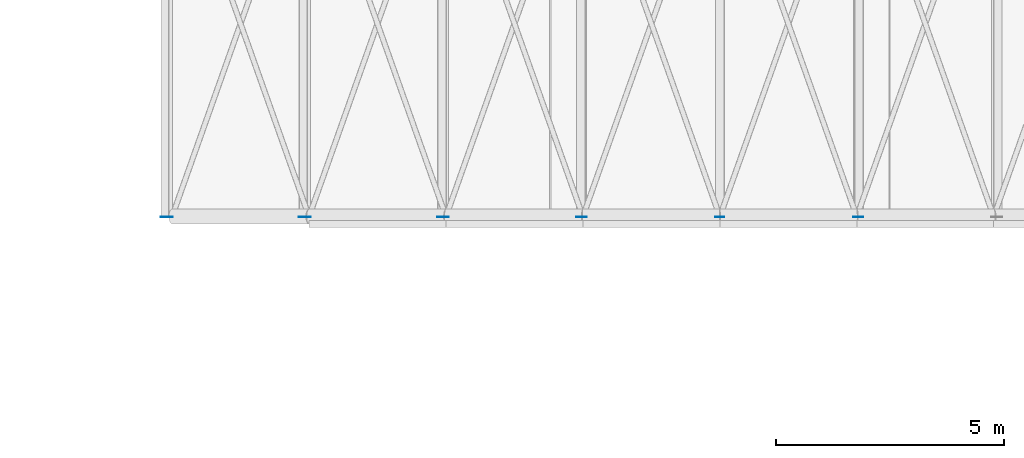
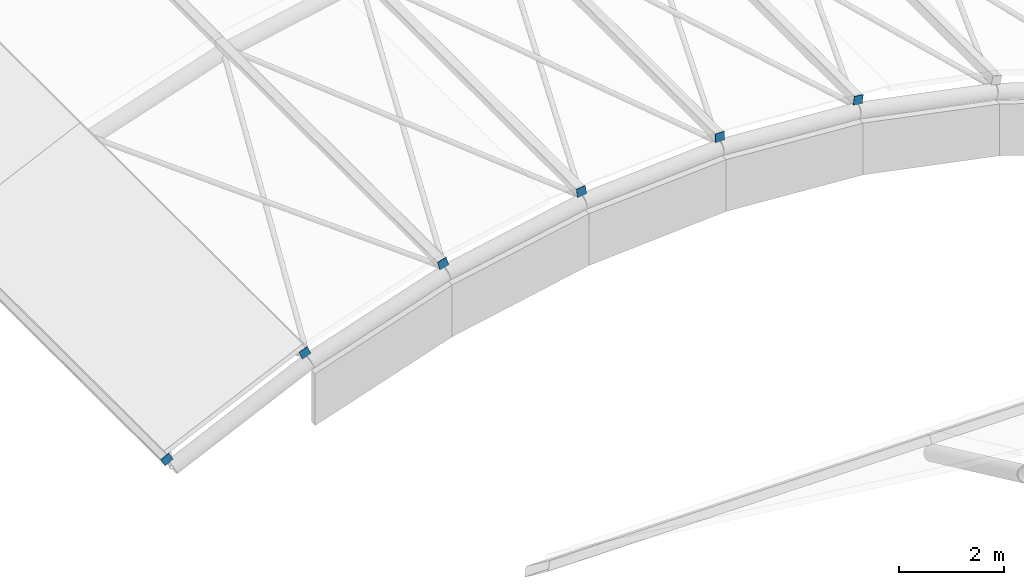
# One storey, part 37 of 54: 6 discrete accessories.
"""IFC4 building model written with IfcOpenShell, lengths in metres."""

from ifc_helpers import new_model, si_unit, direction, frame, origin, origin_2d, place, context, subcontext, project, spatial, rectangle, extrude, material, type_object, element, save


model = new_model("IFC4")

# Units and contexts
model_context = context("Model", 3, precision=1e-05, world=origin(), true_north=direction((0.0, 1.0)))
body_context = subcontext(model_context, "Body", "Model", "MODEL_VIEW")
ifc_project = project(units=[si_unit("LENGTHUNIT", "METRE"), si_unit("AREAUNIT", "SQUARE_METRE"), si_unit("VOLUMEUNIT", "CUBIC_METRE"), si_unit("PLANEANGLEUNIT", "RADIAN"), si_unit("MASSUNIT", "GRAM", prefix="KILO")], contexts=[model_context])

# Site, building, storey
site_placement = place(None, origin())
site = spatial("IfcSite", under=ifc_project, at=site_placement, CompositionType="ELEMENT")
building_placement = place(site_placement, origin())
building = spatial("IfcBuilding", under=site, at=building_placement, Name="Baradari Gate Terminus", CompositionType="ELEMENT")
storey_placement = place(building_placement, frame((0.0, 0.0, 15.89990234375)))
storey = spatial("IfcBuildingStorey", under=building, at=storey_placement, Name="L03", CompositionType="ELEMENT", Elevation=15.89990234375)

# Discrete accessories
ifc_material = material(Name="Steel S355", Category="steel")
discrete_accessory_type = type_object("IfcDiscreteAccessoryType", Name="Hollow section end plate EP-1 200x200x10", PredefinedType="ANCHORPLATE", material=ifc_material)
for number, where, z_axis, x_axis, name in (
    (1, (140.8828125, 81.5400390625, 0.14306640625), (0.0, 1.0, 0.0), (-0.883026855482, 0.0, -0.469322461106), "End plate EP-1 at the start of TR/L03/VP1-PU02"),
    (2, (143.907470703125, 81.5400390625, 1.554443359375), (0.0, 1.0, 0.0), (-0.928965199535, 0.0, -0.370167067759), "End plate EP-1 at the start of TR/L03/VP1-PU03"),
    (3, (146.935791015625, 81.5400390625, 2.56396484375), (0.0, 1.0, 0.0), (-0.966499648767, 0.0, -0.256667935149), "End plate EP-1 at the start of TR/L03/VP1-PU04"),
    (4, (149.967041015625, 81.5400390625, 3.170166015625), (0.0, 1.0, 0.0), (-0.99130302961, 0.0, -0.131599025396), "End plate EP-1 at the start of TR/L03/VP1-PU05"),
    (5, (153.0, 81.5400390625, 3.372314453125), (0.0, 1.0, 0.0), (-1.0, 0.0, 0.0), "End plate EP-1 at the start of TR/L03/VP1-PU06"),
    (6, (156.032958984375, 81.5400390625, 3.170166015625), (0.0, 1.0, 0.0), (-0.99130302961, 0.0, 0.131599025396), "End plate EP-1 at the start of TR/L03/VP1-PU07"),
):
    element("IfcDiscreteAccessory", number, at=place(storey_placement, frame(where, z_axis=z_axis, x_axis=x_axis)), inside=storey, type_object=discrete_accessory_type, Name=name, PredefinedType="ANCHORPLATE", context=body_context, shape_type="SweptSolid", body=[
        extrude(rectangle(XDim=0.199951171875, YDim=0.199951171875, at=origin_2d()), origin(), (0.0, 0.0, 1.0), 0.010009765625),
    ])

save(model, "model.ifc")
